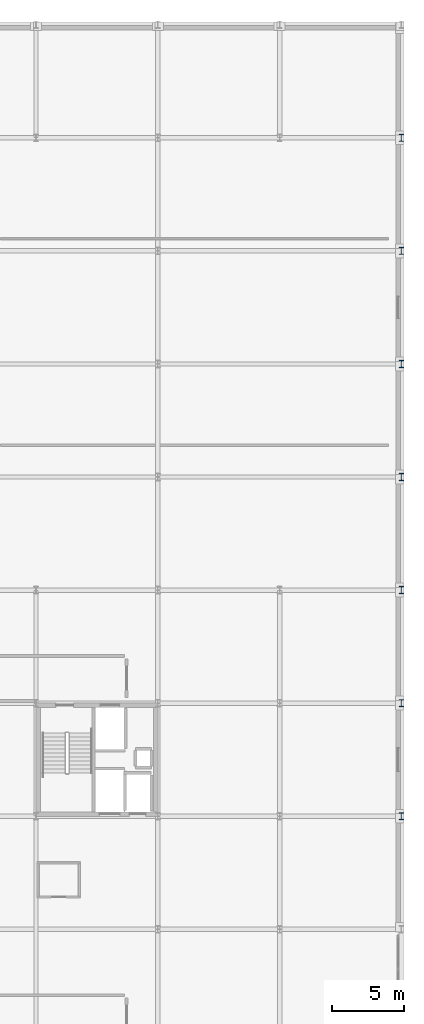
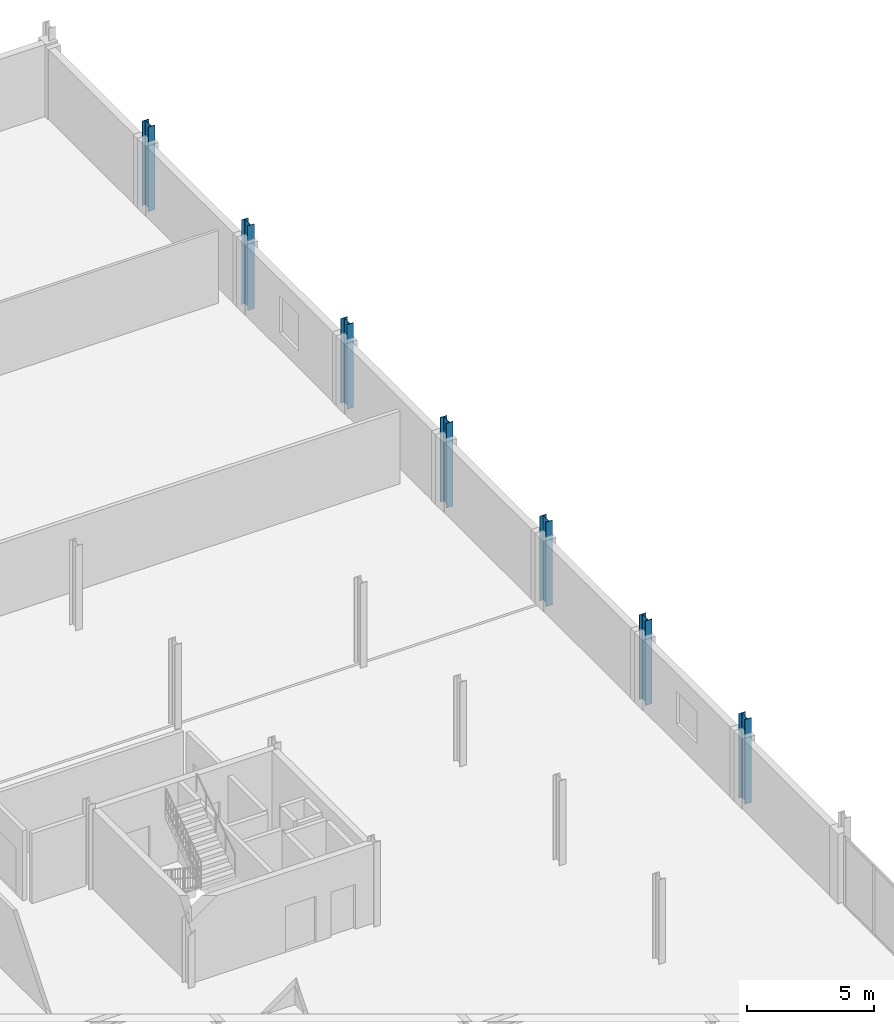
# One storey, part 18 of 77: 7 columns.
"""IFC4 building model written with IfcOpenShell, lengths in metres."""

from ifc_helpers import new_model, si_unit, direction, frame, origin, origin_2d, place, context, subcontext, project, spatial, i_section, extrude, material, material_profile, profile_set, type_object, element, save


model = new_model("IFC4")

# Units and contexts
model_context = context("Model", 3, precision=1e-05, world=origin(), true_north=direction((0.0, 1.0)))
body_context = subcontext(model_context, "Body", "Model", "MODEL_VIEW")
ifc_project = project(units=[si_unit("LENGTHUNIT", "METRE"), si_unit("AREAUNIT", "SQUARE_METRE"), si_unit("VOLUMEUNIT", "CUBIC_METRE"), si_unit("PLANEANGLEUNIT", "RADIAN"), si_unit("MASSUNIT", "GRAM", prefix="KILO")], contexts=[model_context])

# Site, building, storey
site_placement = place(None, origin())
site = spatial("IfcSite", under=ifc_project, at=site_placement, CompositionType="ELEMENT")
building_placement = place(site_placement, origin())
building = spatial("IfcBuilding", under=site, at=building_placement, Name="Nabrawat Pavilion Hospital", CompositionType="ELEMENT")
storey_placement = place(building_placement, frame((0.0, 0.0, 14.85009765625)))
storey = spatial("IfcBuildingStorey", under=building, at=storey_placement, Name="L03", CompositionType="ELEMENT", Elevation=14.85009765625)

# Columns
ifc_material = material(Name="Steel S355", Category="steel")
ifc_material_profile = material_profile(ifc_material, i_section(OverallWidth=0.300048828125, OverallDepth=0.5, WebThickness=0.014404296875, FlangeThickness=0.028076171875, FilletRadius=0.027099609375, at=origin_2d()), Name="HEB 500")
ifc_profile_set = profile_set([ifc_material_profile], Name="Steel S355")
column_type = type_object("IfcColumnType", Name="Composite Steel Column HEB 500", PredefinedType="COLUMN", material=ifc_profile_set)
for number, where, z_axis, x_axis, name in (
    (1, (193.199951171875, 70.199951171875, 0.0), (0.0, 0.0, 1.0), (1.0, 0.0, 0.0), "L03 Structural Column G-24-K"),
    (2, (193.199951171875, 78.0, 0.0), (0.0, 0.0, 1.0), (1.0, 0.0, 0.0), "L03 Structural Column G-24-L"),
    (3, (193.199951171875, 85.800048828125, 0.0), (0.0, 0.0, 1.0), (1.0, 0.0, 0.0), "L03 Structural Column G-24-M1"),
    (4, (193.199951171875, 93.60009765625, 0.0), (0.0, 0.0, 1.0), (1.0, 0.0, 0.0), "L03 Structural Column G-24-N"),
    (5, (193.199951171875, 101.39990234375, 0.0), (0.0, 0.0, 1.0), (1.0, 0.0, 0.0), "L03 Structural Column G-24-P"),
    (6, (193.199951171875, 109.199951171875, 0.0), (0.0, 0.0, 1.0), (1.0, 0.0, 0.0), "L03 Structural Column G-24-Q"),
    (7, (193.199951171875, 117.0, 0.0), (0.0, 0.0, 1.0), (1.0, 0.0, 0.0), "L03 Structural Column G-24-R"),
):
    element("IfcColumn", number, at=place(storey_placement, frame(where, z_axis=z_axis, x_axis=x_axis)), inside=storey, type_object=column_type, Name=name, PredefinedType="COLUMN", context=body_context, shape_type="SweptSolid", body=[
        extrude(i_section(OverallWidth=0.300048828125, OverallDepth=0.5, WebThickness=0.014404296875, FlangeThickness=0.028076171875, FilletRadius=0.027099609375, at=origin_2d()), origin(), (0.0, 0.0, 1.0), 4.0498046875),
    ])

save(model, "model.ifc")
